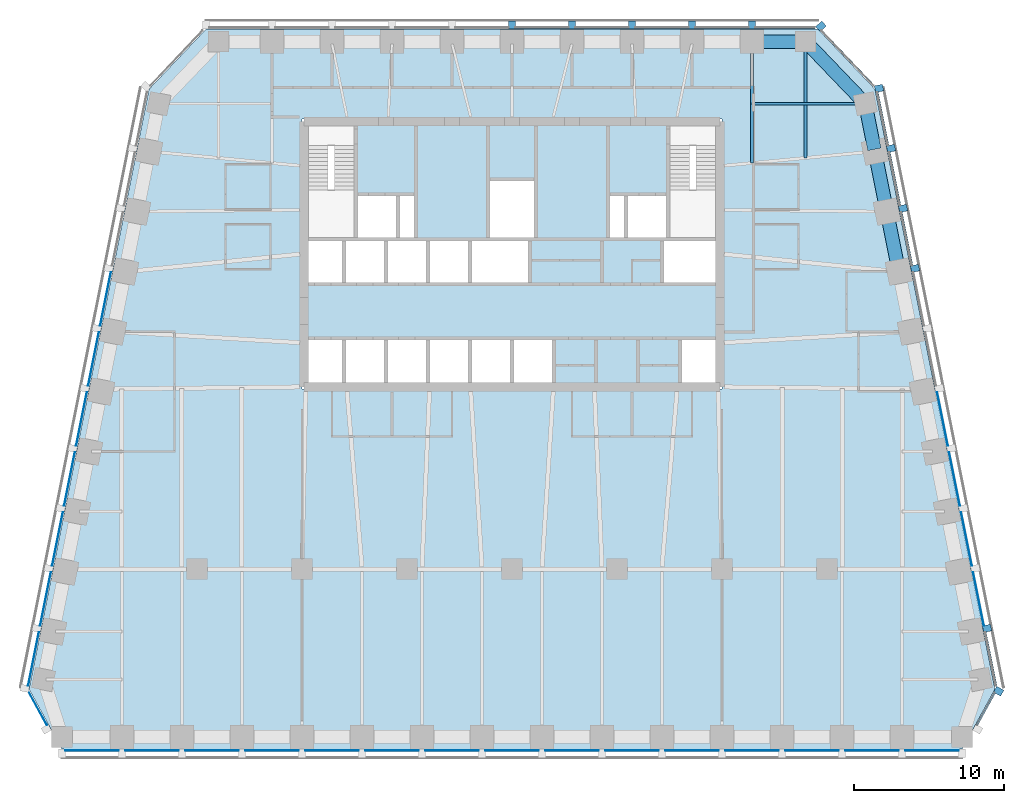
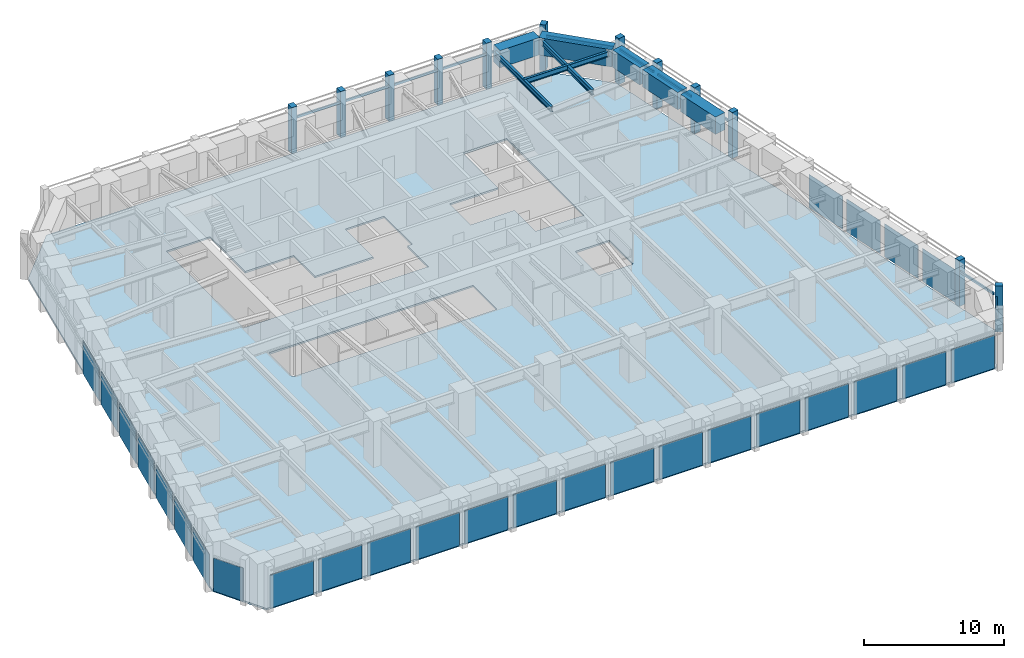
# One storey, part 4 of 10: 27 plates, 23 members, 8 beams, 1 slab, 7 elements without a shape of their own.
"""IFC4 building model written with IfcOpenShell, lengths in metres."""

from ifc_helpers import new_model, si_unit, direction, frame, origin, origin_2d, place, context, subcontext, project, spatial, polyline, rectangle, i_section, outline, extrude, material, layer, layer_set, material_profile, profile_set, type_object, element, aggregate, save


model = new_model("IFC4")

# Units and contexts
model_context = context("Model", 3, precision=1e-05, world=origin(), true_north=direction((0.0, 1.0)))
body_context = subcontext(model_context, "Body", "Model", "MODEL_VIEW")
ifc_project = project(units=[si_unit("LENGTHUNIT", "METRE"), si_unit("AREAUNIT", "SQUARE_METRE"), si_unit("VOLUMEUNIT", "CUBIC_METRE"), si_unit("PLANEANGLEUNIT", "RADIAN"), si_unit("MASSUNIT", "GRAM", prefix="KILO")], contexts=[model_context])

# Site, building, storey
site_placement = place(None, origin())
site = spatial("IfcSite", under=ifc_project, at=site_placement, CompositionType="ELEMENT")
building_placement = place(site_placement, origin())
building = spatial("IfcBuilding", under=site, at=building_placement, Name="Isbrekke Arena Tower", CompositionType="ELEMENT")
storey_placement = place(building_placement, frame((0.0, 0.0, 222.0)))
storey = spatial("IfcBuildingStorey", under=building, at=storey_placement, Name="L51", CompositionType="ELEMENT", Elevation=222.0)

# Beams
ifc_material_1 = material(Name="Steel S355", Category="steel")
ifc_material_profile_1 = material_profile(ifc_material_1, i_section(OverallWidth=0.18994140625, OverallDepth=0.449951171875, WebThickness=0.009521484375, FlangeThickness=0.0146484375, FilletRadius=0.02099609375, at=origin_2d()), Name="IPE 450")
ifc_profile_set_1 = profile_set([ifc_material_profile_1], Name="Steel S355")
beam_type_1 = type_object("IfcBeamType", Name="B2 IPE 450", PredefinedType="BEAM", material=ifc_profile_set_1)
beam_1_placement = place(storey_placement, frame((23.40283203125, 25.029296875, 3.625), z_axis=(-1.0, 0.0, 0.0), x_axis=(0.0, -1.0, 0.0)))
element("IfcBeam", 1, at=beam_1_placement, inside=storey, type_object=beam_type_1, Name="B2 beam E-E11 L51", PredefinedType="BEAM", context=body_context, shape_type="SweptSolid", body=[
    extrude(i_section(OverallWidth=0.18994140625, OverallDepth=0.449951171875, WebThickness=0.009521484375, FlangeThickness=0.0146484375, FilletRadius=0.02099609375, at=origin_2d()), origin(), (0.0, 0.0, 1.0), 7.40283203125),
])
ifc_material_2 = material(Name="Steel S355", Category="steel")
ifc_material_profile_2 = material_profile(ifc_material_2, i_section(OverallWidth=0.18994140625, OverallDepth=0.449951171875, WebThickness=0.009521484375, FlangeThickness=0.0146484375, FilletRadius=0.02099609375, at=origin_2d()), Name="IPE 450")
ifc_profile_set_2 = profile_set([ifc_material_profile_2], Name="Steel S355")
beam_type_2 = type_object("IfcBeamType", Name="B3 IPE 450", PredefinedType="BEAM", material=ifc_profile_set_2)
beam_2_placement = place(storey_placement, frame((19.574951171875, 29.02490234375, 3.625), z_axis=(0.0, -1.0, 0.0), x_axis=(1.0, 0.0, 0.0)))
element("IfcBeam", 2, at=beam_2_placement, inside=storey, type_object=beam_type_2, Name="B3 beam N-N01 L51", PredefinedType="BEAM", context=body_context, shape_type="SweptSolid", body=[
    extrude(i_section(OverallWidth=0.18994140625, OverallDepth=0.449951171875, WebThickness=0.009521484375, FlangeThickness=0.0146484375, FilletRadius=0.02099609375, at=origin_2d()), origin(), (0.0, 0.0, 1.0), 7.6103515625),
])
beam_3_placement = place(storey_placement, frame((16.0, 29.02490234375, 3.625), z_axis=(0.0, -1.0, 0.0), x_axis=(1.0, 0.0, 0.0)))
element("IfcBeam", 3, at=beam_3_placement, inside=storey, type_object=beam_type_2, Name="B3 beam N-N02 L51", PredefinedType="BEAM", context=body_context, shape_type="SweptSolid", body=[
    extrude(i_section(OverallWidth=0.18994140625, OverallDepth=0.449951171875, WebThickness=0.009521484375, FlangeThickness=0.0146484375, FilletRadius=0.02099609375, at=origin_2d()), origin(), (0.0, 0.0, 1.0), 7.949462890625),
])

# Curtain wall, member
ifc_material_3 = material(Name="Glazed aluminium curtain wall", Category="aluminium")
curtain_wall_type = type_object("IfcCurtainWallType", Name="CWH TOWER CURTAIN WALL HIGH ZONE", PredefinedType="USERDEFINED", material=ifc_material_3)
curtain_wall_1_placement = place(storey_placement, origin())
curtain_wall_1 = element("IfcCurtainWall", 4, at=curtain_wall_1_placement, inside=storey, type_object=curtain_wall_type, Name="CWH curtain wall L51-SE", ObjectType="TOWER CURTAIN WALL HIGH ZONE", PredefinedType="USERDEFINED")
ifc_material_4 = material(Name="Aluminium mullion, pale brick slip cladding", Category="masonry")
ifc_material_profile_3 = material_profile(ifc_material_4, rectangle(XDim=0.449951171875, YDim=0.550048828125, at=origin_2d()), Name="PIER 450X550")
ifc_profile_set_3 = profile_set([ifc_material_profile_3], Name="Aluminium mullion, pale brick slip cladding")
member_type_1 = type_object("IfcMemberType", Name="CWH-M PIER MULLION 450 x 550", PredefinedType="MULLION", material=ifc_profile_set_3)
member_1_placement = place(storey_placement, frame((32.44091796875, -14.132568359375, 0.0), z_axis=(0.0, 0.0, 1.0), x_axis=(0.481918749773, 0.876215908676, 0.0)))
member_1 = element("IfcMember", 5, at=member_1_placement, type_object=member_type_1, Name="CWH-M mullion 2", PredefinedType="MULLION", context=body_context, shape_type="SweptSolid", body=[
    extrude(rectangle(XDim=0.449951171875, YDim=0.550048828125, at=origin_2d()), origin(), (0.0, 0.0, 1.0), 4.0),
])

# Curtain wall, members
curtain_wall_2_placement = place(storey_placement, origin())
curtain_wall_2 = element("IfcCurtainWall", 6, at=curtain_wall_2_placement, inside=storey, type_object=curtain_wall_type, Name="CWH curtain wall L51-E", ObjectType="TOWER CURTAIN WALL HIGH ZONE", PredefinedType="USERDEFINED")
member_2_placement = place(storey_placement, frame((31.669677734375, -9.946044921875, 0.0), z_axis=(0.0, 0.0, 1.0), x_axis=(-0.196116135138, 0.980580675691, 0.0)))
member_2 = element("IfcMember", 7, at=member_2_placement, type_object=member_type_1, Name="CWH-M mullion 1", PredefinedType="MULLION", context=body_context, shape_type="SweptSolid", body=[
    extrude(rectangle(XDim=0.449951171875, YDim=0.550048828125, at=origin_2d()), origin(), (0.0, 0.0, 1.0), 4.0),
])
member_3_placement = place(storey_placement, frame((26.86962890625, 14.053955078125, 0.0), z_axis=(0.0, 0.0, 1.0), x_axis=(-0.196116135138, 0.980580675691, 0.0)))
member_3 = element("IfcMember", 8, at=member_3_placement, type_object=member_type_1, Name="CWH-M mullion 7", PredefinedType="MULLION", context=body_context, shape_type="SweptSolid", body=[
    extrude(rectangle(XDim=0.449951171875, YDim=0.550048828125, at=origin_2d()), origin(), (0.0, 0.0, 1.0), 4.0),
])
member_4_placement = place(storey_placement, frame((26.069580078125, 18.053955078125, 0.0), z_axis=(0.0, 0.0, 1.0), x_axis=(-0.196116135138, 0.980580675691, 0.0)))
member_4 = element("IfcMember", 9, at=member_4_placement, type_object=member_type_1, Name="CWH-M mullion 8", PredefinedType="MULLION", context=body_context, shape_type="SweptSolid", body=[
    extrude(rectangle(XDim=0.449951171875, YDim=0.550048828125, at=origin_2d()), origin(), (0.0, 0.0, 1.0), 4.0),
])
member_5_placement = place(storey_placement, frame((25.269775390625, 22.053955078125, 0.0), z_axis=(0.0, 0.0, 1.0), x_axis=(-0.196116135138, 0.980580675691, 0.0)))
member_5 = element("IfcMember", 10, at=member_5_placement, type_object=member_type_1, Name="CWH-M mullion 9", PredefinedType="MULLION", context=body_context, shape_type="SweptSolid", body=[
    extrude(rectangle(XDim=0.449951171875, YDim=0.550048828125, at=origin_2d()), origin(), (0.0, 0.0, 1.0), 4.0),
])
member_6_placement = place(storey_placement, frame((24.4697265625, 26.053955078125, 0.0), z_axis=(0.0, 0.0, 1.0), x_axis=(-0.196116135138, 0.980580675691, 0.0)))
member_6 = element("IfcMember", 11, at=member_6_placement, type_object=member_type_1, Name="CWH-M mullion 10", PredefinedType="MULLION", context=body_context, shape_type="SweptSolid", body=[
    extrude(rectangle(XDim=0.449951171875, YDim=0.550048828125, at=origin_2d()), origin(), (0.0, 0.0, 1.0), 4.0),
])

# Curtain wall, member
curtain_wall_3_placement = place(storey_placement, origin())
curtain_wall_3 = element("IfcCurtainWall", 12, at=curtain_wall_3_placement, inside=storey, type_object=curtain_wall_type, Name="CWH curtain wall L51-EN", ObjectType="TOWER CURTAIN WALL HIGH ZONE", PredefinedType="USERDEFINED")
member_7_placement = place(storey_placement, frame((20.599365234375, 30.189453125, 0.0), z_axis=(0.0, 0.0, 1.0), x_axis=(-0.68874946192, 0.72499943359, 0.0)))
member_7 = element("IfcMember", 13, at=member_7_placement, type_object=member_type_1, Name="CWH-M mullion 1", PredefinedType="MULLION", context=body_context, shape_type="SweptSolid", body=[
    extrude(rectangle(XDim=0.449951171875, YDim=0.550048828125, at=origin_2d()), origin(), (0.0, 0.0, 1.0), 4.0),
])

# Curtain wall, members
curtain_wall_4_placement = place(storey_placement, origin())
curtain_wall_4 = element("IfcCurtainWall", 14, at=curtain_wall_4_placement, inside=storey, type_object=curtain_wall_type, Name="CWH curtain wall L51-N", ObjectType="TOWER CURTAIN WALL HIGH ZONE", PredefinedType="USERDEFINED")
member_8_placement = place(storey_placement, frame((16.0, 30.27490234375, 0.0), z_axis=(0.0, 0.0, 1.0), x_axis=(-1.0, 0.0, 0.0)))
member_8 = element("IfcMember", 15, at=member_8_placement, type_object=member_type_1, Name="CWH-M mullion 1", PredefinedType="MULLION", context=body_context, shape_type="SweptSolid", body=[
    extrude(rectangle(XDim=0.449951171875, YDim=0.550048828125, at=origin_2d()), origin(), (0.0, 0.0, 1.0), 4.0),
])
member_9_placement = place(storey_placement, frame((12.0, 30.27490234375, 0.0), z_axis=(0.0, 0.0, 1.0), x_axis=(-1.0, 0.0, 0.0)))
member_9 = element("IfcMember", 16, at=member_9_placement, type_object=member_type_1, Name="CWH-M mullion 2", PredefinedType="MULLION", context=body_context, shape_type="SweptSolid", body=[
    extrude(rectangle(XDim=0.449951171875, YDim=0.550048828125, at=origin_2d()), origin(), (0.0, 0.0, 1.0), 4.0),
])
member_10_placement = place(storey_placement, frame((8.0, 30.27490234375, 0.0), z_axis=(0.0, 0.0, 1.0), x_axis=(-1.0, 0.0, 0.0)))
member_10 = element("IfcMember", 17, at=member_10_placement, type_object=member_type_1, Name="CWH-M mullion 3", PredefinedType="MULLION", context=body_context, shape_type="SweptSolid", body=[
    extrude(rectangle(XDim=0.449951171875, YDim=0.550048828125, at=origin_2d()), origin(), (0.0, 0.0, 1.0), 4.0),
])
member_11_placement = place(storey_placement, frame((4.0, 30.27490234375, 0.0), z_axis=(0.0, 0.0, 1.0), x_axis=(-1.0, 0.0, 0.0)))
member_11 = element("IfcMember", 18, at=member_11_placement, type_object=member_type_1, Name="CWH-M mullion 4", PredefinedType="MULLION", context=body_context, shape_type="SweptSolid", body=[
    extrude(rectangle(XDim=0.449951171875, YDim=0.550048828125, at=origin_2d()), origin(), (0.0, 0.0, 1.0), 4.0),
])
member_12_placement = place(storey_placement, frame((0.0, 30.27490234375, 0.0), z_axis=(0.0, 0.0, 1.0), x_axis=(-1.0, 0.0, 0.0)))
member_12 = element("IfcMember", 19, at=member_12_placement, type_object=member_type_1, Name="CWH-M mullion 5", PredefinedType="MULLION", context=body_context, shape_type="SweptSolid", body=[
    extrude(rectangle(XDim=0.449951171875, YDim=0.550048828125, at=origin_2d()), origin(), (0.0, 0.0, 1.0), 4.0),
])

# Member
ifc_material_5 = material(Name="Aluminium transom", Category="aluminium")
ifc_material_profile_4 = material_profile(ifc_material_5, rectangle(XDim=0.1201171875, YDim=0.199951171875, at=origin_2d()), Name="TRANSOM 120X200")
ifc_profile_set_4 = profile_set([ifc_material_profile_4], Name="Aluminium transom")
member_type_2 = type_object("IfcMemberType", Name="CWH-T TRANSOM 120 x 200", PredefinedType="USERDEFINED", material=ifc_profile_set_4)
member_13_placement = place(storey_placement, frame((31.002197265625, -16.38525390625, 3.0), z_axis=(0.481937937062, 0.876205355393, 0.0), x_axis=(-0.876205355393, 0.481937937062, 0.0)))
member_13 = element("IfcMember", 20, at=member_13_placement, type_object=member_type_2, Name="CWH-T transom 1", ObjectType="TRANSOM", PredefinedType="USERDEFINED", context=body_context, shape_type="SweptSolid", body=[
    extrude(rectangle(XDim=0.1201171875, YDim=0.199951171875, at=origin_2d()), origin(), (0.0, 0.0, 1.0), 2.442138671875),
])

aggregate(curtain_wall_1, [member_1, member_13])

member_14_placement = place(storey_placement, frame((32.25390625, -13.759765625, 3.0), z_axis=(-0.196090262229, 0.980585849918, 0.0), x_axis=(-0.980585849918, -0.196090262229, 0.0)))
member_14 = element("IfcMember", 21, at=member_14_placement, type_object=member_type_2, Name="CWH-T transom 1", ObjectType="TRANSOM", PredefinedType="USERDEFINED", context=body_context, shape_type="SweptSolid", body=[
    extrude(rectangle(XDim=0.1201171875, YDim=0.199951171875, at=origin_2d()), origin(), (0.0, 0.0, 1.0), 3.62939453125),
])

member_15_placement = place(storey_placement, frame((26.654052734375, 14.240234375, 3.0), z_axis=(-0.196154943734, 0.980572913173, 0.0), x_axis=(-0.980572913173, -0.196154943734, 0.0)))
member_15 = element("IfcMember", 22, at=member_15_placement, type_object=member_type_2, Name="CWH-T transom 8", ObjectType="TRANSOM", PredefinedType="USERDEFINED", context=body_context, shape_type="SweptSolid", body=[
    extrude(rectangle(XDim=0.1201171875, YDim=0.199951171875, at=origin_2d()), origin(), (0.0, 0.0, 1.0), 3.62939453125),
])

member_16_placement = place(storey_placement, frame((25.85400390625, 18.240234375, 3.0), z_axis=(-0.196154943734, 0.980572913173, 0.0), x_axis=(-0.980572913173, -0.196154943734, 0.0)))
member_16 = element("IfcMember", 23, at=member_16_placement, type_object=member_type_2, Name="CWH-T transom 9", ObjectType="TRANSOM", PredefinedType="USERDEFINED", context=body_context, shape_type="SweptSolid", body=[
    extrude(rectangle(XDim=0.1201171875, YDim=0.199951171875, at=origin_2d()), origin(), (0.0, 0.0, 1.0), 3.62939453125),
])

member_17_placement = place(storey_placement, frame((25.053955078125, 22.240234375, 3.0), z_axis=(-0.196090262229, 0.980585849918, 0.0), x_axis=(-0.980585849918, -0.196090262229, 0.0)))
member_17 = element("IfcMember", 24, at=member_17_placement, type_object=member_type_2, Name="CWH-T transom 10", ObjectType="TRANSOM", PredefinedType="USERDEFINED", context=body_context, shape_type="SweptSolid", body=[
    extrude(rectangle(XDim=0.1201171875, YDim=0.199951171875, at=origin_2d()), origin(), (0.0, 0.0, 1.0), 3.62939453125),
])

member_18_placement = place(storey_placement, frame((24.117431640625, 26.23193359375, 3.0), z_axis=(-0.688734266994, 0.725013868466, 0.0), x_axis=(-0.725013868466, -0.688734266994, 0.0)))
member_18 = element("IfcMember", 25, at=member_18_placement, type_object=member_type_2, Name="CWH-T transom 1", ObjectType="TRANSOM", PredefinedType="USERDEFINED", context=body_context, shape_type="SweptSolid", body=[
    extrude(rectangle(XDim=0.1201171875, YDim=0.199951171875, at=origin_2d()), origin(), (0.0, 0.0, 1.0), 5.067138671875),
])

aggregate(curtain_wall_3, [member_7, member_18])

member_19_placement = place(storey_placement, frame((20.175048828125, 30.10009765625, 3.0), z_axis=(-1.0, 0.0, 0.0), x_axis=(0.0, -1.0, 0.0)))
member_19 = element("IfcMember", 26, at=member_19_placement, type_object=member_type_2, Name="CWH-T transom 1", ObjectType="TRANSOM", PredefinedType="USERDEFINED", context=body_context, shape_type="SweptSolid", body=[
    extrude(rectangle(XDim=0.1201171875, YDim=0.199951171875, at=origin_2d()), origin(), (0.0, 0.0, 1.0), 3.949951171875),
])

member_20_placement = place(storey_placement, frame((15.77490234375, 30.10009765625, 3.0), z_axis=(-1.0, 0.0, 0.0), x_axis=(0.0, -1.0, 0.0)))
member_20 = element("IfcMember", 27, at=member_20_placement, type_object=member_type_2, Name="CWH-T transom 2", ObjectType="TRANSOM", PredefinedType="USERDEFINED", context=body_context, shape_type="SweptSolid", body=[
    extrude(rectangle(XDim=0.1201171875, YDim=0.199951171875, at=origin_2d()), origin(), (0.0, 0.0, 1.0), 3.5498046875),
])

member_21_placement = place(storey_placement, frame((11.77490234375, 30.10009765625, 3.0), z_axis=(-1.0, 0.0, 0.0), x_axis=(0.0, -1.0, 0.0)))
member_21 = element("IfcMember", 28, at=member_21_placement, type_object=member_type_2, Name="CWH-T transom 3", ObjectType="TRANSOM", PredefinedType="USERDEFINED", context=body_context, shape_type="SweptSolid", body=[
    extrude(rectangle(XDim=0.1201171875, YDim=0.199951171875, at=origin_2d()), origin(), (0.0, 0.0, 1.0), 3.5498046875),
])

member_22_placement = place(storey_placement, frame((7.77490234375, 30.10009765625, 3.0), z_axis=(-1.0, 0.0, 0.0), x_axis=(0.0, -1.0, 0.0)))
member_22 = element("IfcMember", 29, at=member_22_placement, type_object=member_type_2, Name="CWH-T transom 4", ObjectType="TRANSOM", PredefinedType="USERDEFINED", context=body_context, shape_type="SweptSolid", body=[
    extrude(rectangle(XDim=0.1201171875, YDim=0.199951171875, at=origin_2d()), origin(), (0.0, 0.0, 1.0), 3.5498046875),
])

member_23_placement = place(storey_placement, frame((3.77490234375, 30.10009765625, 3.0), z_axis=(-1.0, 0.0, 0.0), x_axis=(0.0, -1.0, 0.0)))
member_23 = element("IfcMember", 30, at=member_23_placement, type_object=member_type_2, Name="CWH-T transom 5", ObjectType="TRANSOM", PredefinedType="USERDEFINED", context=body_context, shape_type="SweptSolid", body=[
    extrude(rectangle(XDim=0.1201171875, YDim=0.199951171875, at=origin_2d()), origin(), (0.0, 0.0, 1.0), 3.5498046875),
])

aggregate(curtain_wall_4, [member_8, member_9, member_10, member_11, member_12, member_19, member_20, member_21, member_22, member_23])

# Beams
ifc_material_6 = material(Name="Concrete B65 (C65/80)", Category="concrete")
ifc_material_profile_5 = material_profile(ifc_material_6, rectangle(XDim=0.89990234375, YDim=1.5, at=origin_2d()), Name="RC 900x1500")
ifc_profile_set_5 = profile_set([ifc_material_profile_5], Name="Concrete B65 (C65/80)")
beam_type_3 = type_object("IfcBeamType", Name="SB3 RC 900 x 1500", PredefinedType="SPANDREL", material=ifc_profile_set_5)
for number, where, z_axis, x_axis, name in (
    (31, (25.76171875, 13.9853515625, 3.25), (-0.196128558387, 0.980578190959, 0.0), (-0.980578190959, -0.196128558387, 0.0), "SB3 spandrel E08-E09 L51"),
    (32, (24.961669921875, 17.9853515625, 3.25), (-0.196128558387, 0.980578190959, 0.0), (-0.980578190959, -0.196128558387, 0.0), "SB3 spandrel E09-E10 L51"),
):
    element("IfcBeam", number, at=place(storey_placement, frame(where, z_axis=z_axis, x_axis=x_axis)), inside=storey, type_object=beam_type_3, Name=name, PredefinedType="SPANDREL", context=body_context, shape_type="SweptSolid", body=[
        extrude(rectangle(XDim=0.89990234375, YDim=1.5, at=origin_2d()), origin(), (0.0, 0.0, 1.0), 3.779296875),
    ])
beam_4_placement = place(storey_placement, frame((24.16162109375, 21.9853515625, 3.25), z_axis=(-0.196116135138, 0.980580675691, 0.0), x_axis=(-0.980580675691, -0.196116135138, 0.0)))
element("IfcBeam", 33, at=beam_4_placement, inside=storey, type_object=beam_type_3, Name="SB3 spandrel E10-E11 L51", PredefinedType="SPANDREL", context=body_context, shape_type="SweptSolid", body=[
    extrude(rectangle(XDim=0.89990234375, YDim=1.5, at=origin_2d()), origin(), (0.0, 0.0, 1.0), 2.9541015625),
])
beam_5_placement = place(storey_placement, frame((23.448974609375, 25.137451171875, 3.25), z_axis=(-0.692339547635, 0.721571861134, 0.0), x_axis=(-0.721571861134, -0.692339547635, 0.0)))
element("IfcBeam", 34, at=beam_5_placement, inside=storey, type_object=beam_type_3, Name="SB3 spandrel E11-N01 L51", PredefinedType="SPANDREL", context=body_context, shape_type="SweptSolid", body=[
    extrude(rectangle(XDim=0.89990234375, YDim=1.5, at=origin_2d()), origin(), (0.0, 0.0, 1.0), 5.4453125),
])
beam_6_placement = place(storey_placement, frame((19.425048828125, 29.175048828125, 3.25), z_axis=(-1.0, 0.0, 0.0), x_axis=(0.0, -1.0, 0.0)))
element("IfcBeam", 35, at=beam_6_placement, inside=storey, type_object=beam_type_3, Name="SB3 spandrel N01-N02 L51", PredefinedType="SPANDREL", context=body_context, shape_type="SweptSolid", body=[
    extrude(rectangle(XDim=0.89990234375, YDim=1.5, at=origin_2d()), origin(), (0.0, 0.0, 1.0), 3.275146484375),
])

# Curtain wall, plates
curtain_wall_5_placement = place(storey_placement, origin())
curtain_wall_5 = element("IfcCurtainWall", 36, at=curtain_wall_5_placement, inside=storey, type_object=curtain_wall_type, Name="CWH curtain wall L51-S", ObjectType="TOWER CURTAIN WALL HIGH ZONE", PredefinedType="USERDEFINED")
ifc_material_7 = material(Name="Triple-glazed clear glass unit", Category="glass")
ifc_layer_1 = layer(ifc_material_7, 0.031982421875)
ifc_layer_set_1 = layer_set([ifc_layer_1], Name="CWH-P VISION PANEL")
plate_type = type_object("IfcPlateType", Name="CWH-P VISION PANEL", PredefinedType="CURTAIN_PANEL", material=ifc_layer_set_1)
plate_1_placement = place(storey_placement, frame((-28.0, -18.10009765625, 0.02001953125), z_axis=(0.0, 0.0, 1.0), x_axis=(1.0, 0.0, 0.0)))
plate_1 = element("IfcPlate", 37, at=plate_1_placement, type_object=plate_type, Name="CWH-P panel 1", PredefinedType="CURTAIN_PANEL", context=body_context, shape_type="SweptSolid", body=[
    extrude(rectangle(XDim=3.550048828125, YDim=0.031982421875, at=origin_2d()), origin(), (0.0, 0.0, 1.0), 2.8798828125),
])
plate_2_placement = place(storey_placement, frame((-24.0, -18.10009765625, 0.02001953125), z_axis=(0.0, 0.0, 1.0), x_axis=(1.0, 0.0, 0.0)))
plate_2 = element("IfcPlate", 38, at=plate_2_placement, type_object=plate_type, Name="CWH-P panel 2", PredefinedType="CURTAIN_PANEL", context=body_context, shape_type="SweptSolid", body=[
    extrude(rectangle(XDim=3.550048828125, YDim=0.031982421875, at=origin_2d()), origin(), (0.0, 0.0, 1.0), 2.8798828125),
])
plate_3_placement = place(storey_placement, frame((-20.0, -18.10009765625, 0.02001953125), z_axis=(0.0, 0.0, 1.0), x_axis=(1.0, 0.0, 0.0)))
plate_3 = element("IfcPlate", 39, at=plate_3_placement, type_object=plate_type, Name="CWH-P panel 3", PredefinedType="CURTAIN_PANEL", context=body_context, shape_type="SweptSolid", body=[
    extrude(rectangle(XDim=3.550048828125, YDim=0.031982421875, at=origin_2d()), origin(), (0.0, 0.0, 1.0), 2.8798828125),
])
plate_4_placement = place(storey_placement, frame((-16.0, -18.10009765625, 0.02001953125), z_axis=(0.0, 0.0, 1.0), x_axis=(1.0, 0.0, 0.0)))
plate_4 = element("IfcPlate", 40, at=plate_4_placement, type_object=plate_type, Name="CWH-P panel 4", PredefinedType="CURTAIN_PANEL", context=body_context, shape_type="SweptSolid", body=[
    extrude(rectangle(XDim=3.550048828125, YDim=0.031982421875, at=origin_2d()), origin(), (0.0, 0.0, 1.0), 2.8798828125),
])
plate_5_placement = place(storey_placement, frame((-12.0, -18.10009765625, 0.02001953125), z_axis=(0.0, 0.0, 1.0), x_axis=(1.0, 0.0, 0.0)))
plate_5 = element("IfcPlate", 41, at=plate_5_placement, type_object=plate_type, Name="CWH-P panel 5", PredefinedType="CURTAIN_PANEL", context=body_context, shape_type="SweptSolid", body=[
    extrude(rectangle(XDim=3.550048828125, YDim=0.031982421875, at=origin_2d()), origin(), (0.0, 0.0, 1.0), 2.8798828125),
])
plate_6_placement = place(storey_placement, frame((-8.0, -18.10009765625, 0.02001953125), z_axis=(0.0, 0.0, 1.0), x_axis=(1.0, 0.0, 0.0)))
plate_6 = element("IfcPlate", 42, at=plate_6_placement, type_object=plate_type, Name="CWH-P panel 6", PredefinedType="CURTAIN_PANEL", context=body_context, shape_type="SweptSolid", body=[
    extrude(rectangle(XDim=3.550048828125, YDim=0.031982421875, at=origin_2d()), origin(), (0.0, 0.0, 1.0), 2.8798828125),
])
plate_7_placement = place(storey_placement, frame((-4.0, -18.10009765625, 0.02001953125), z_axis=(0.0, 0.0, 1.0), x_axis=(1.0, 0.0, 0.0)))
plate_7 = element("IfcPlate", 43, at=plate_7_placement, type_object=plate_type, Name="CWH-P panel 7", PredefinedType="CURTAIN_PANEL", context=body_context, shape_type="SweptSolid", body=[
    extrude(rectangle(XDim=3.550048828125, YDim=0.031982421875, at=origin_2d()), origin(), (0.0, 0.0, 1.0), 2.8798828125),
])
plate_8_placement = place(storey_placement, frame((0.0, -18.10009765625, 0.02001953125), z_axis=(0.0, 0.0, 1.0), x_axis=(1.0, 0.0, 0.0)))
plate_8 = element("IfcPlate", 44, at=plate_8_placement, type_object=plate_type, Name="CWH-P panel 8", PredefinedType="CURTAIN_PANEL", context=body_context, shape_type="SweptSolid", body=[
    extrude(rectangle(XDim=3.550048828125, YDim=0.031982421875, at=origin_2d()), origin(), (0.0, 0.0, 1.0), 2.8798828125),
])
plate_9_placement = place(storey_placement, frame((4.0, -18.10009765625, 0.02001953125), z_axis=(0.0, 0.0, 1.0), x_axis=(1.0, 0.0, 0.0)))
plate_9 = element("IfcPlate", 45, at=plate_9_placement, type_object=plate_type, Name="CWH-P panel 9", PredefinedType="CURTAIN_PANEL", context=body_context, shape_type="SweptSolid", body=[
    extrude(rectangle(XDim=3.550048828125, YDim=0.031982421875, at=origin_2d()), origin(), (0.0, 0.0, 1.0), 2.8798828125),
])
plate_10_placement = place(storey_placement, frame((8.0, -18.10009765625, 0.02001953125), z_axis=(0.0, 0.0, 1.0), x_axis=(1.0, 0.0, 0.0)))
plate_10 = element("IfcPlate", 46, at=plate_10_placement, type_object=plate_type, Name="CWH-P panel 10", PredefinedType="CURTAIN_PANEL", context=body_context, shape_type="SweptSolid", body=[
    extrude(rectangle(XDim=3.550048828125, YDim=0.031982421875, at=origin_2d()), origin(), (0.0, 0.0, 1.0), 2.8798828125),
])
plate_11_placement = place(storey_placement, frame((12.0, -18.10009765625, 0.02001953125), z_axis=(0.0, 0.0, 1.0), x_axis=(1.0, 0.0, 0.0)))
plate_11 = element("IfcPlate", 47, at=plate_11_placement, type_object=plate_type, Name="CWH-P panel 11", PredefinedType="CURTAIN_PANEL", context=body_context, shape_type="SweptSolid", body=[
    extrude(rectangle(XDim=3.550048828125, YDim=0.031982421875, at=origin_2d()), origin(), (0.0, 0.0, 1.0), 2.8798828125),
])
plate_12_placement = place(storey_placement, frame((16.0, -18.10009765625, 0.02001953125), z_axis=(0.0, 0.0, 1.0), x_axis=(1.0, 0.0, 0.0)))
plate_12 = element("IfcPlate", 48, at=plate_12_placement, type_object=plate_type, Name="CWH-P panel 12", PredefinedType="CURTAIN_PANEL", context=body_context, shape_type="SweptSolid", body=[
    extrude(rectangle(XDim=3.550048828125, YDim=0.031982421875, at=origin_2d()), origin(), (0.0, 0.0, 1.0), 2.8798828125),
])
plate_13_placement = place(storey_placement, frame((20.0, -18.10009765625, 0.02001953125), z_axis=(0.0, 0.0, 1.0), x_axis=(1.0, 0.0, 0.0)))
plate_13 = element("IfcPlate", 49, at=plate_13_placement, type_object=plate_type, Name="CWH-P panel 13", PredefinedType="CURTAIN_PANEL", context=body_context, shape_type="SweptSolid", body=[
    extrude(rectangle(XDim=3.550048828125, YDim=0.031982421875, at=origin_2d()), origin(), (0.0, 0.0, 1.0), 2.8798828125),
])
plate_14_placement = place(storey_placement, frame((24.0, -18.10009765625, 0.02001953125), z_axis=(0.0, 0.0, 1.0), x_axis=(1.0, 0.0, 0.0)))
plate_14 = element("IfcPlate", 50, at=plate_14_placement, type_object=plate_type, Name="CWH-P panel 14", PredefinedType="CURTAIN_PANEL", context=body_context, shape_type="SweptSolid", body=[
    extrude(rectangle(XDim=3.550048828125, YDim=0.031982421875, at=origin_2d()), origin(), (0.0, 0.0, 1.0), 2.8798828125),
])
plate_15_placement = place(storey_placement, frame((28.0, -18.10009765625, 0.02001953125), z_axis=(0.0, 0.0, 1.0), x_axis=(1.0, 0.0, 0.0)))
plate_15 = element("IfcPlate", 51, at=plate_15_placement, type_object=plate_type, Name="CWH-P panel 15", PredefinedType="CURTAIN_PANEL", context=body_context, shape_type="SweptSolid", body=[
    extrude(rectangle(XDim=3.550048828125, YDim=0.031982421875, at=origin_2d()), origin(), (0.0, 0.0, 1.0), 2.8798828125),
])
aggregate(curtain_wall_5, [plate_1, plate_2, plate_3, plate_4, plate_5, plate_6, plate_7, plate_8, plate_9, plate_10, plate_11, plate_12, plate_13, plate_14, plate_15])

# Plate
plate_16_placement = place(storey_placement, frame((31.09814453125, -7.98046875, 0.02001953125), z_axis=(0.0, 0.0, 1.0), x_axis=(-0.196116135138, 0.980580675691, 0.0)))
plate_16 = element("IfcPlate", 52, at=plate_16_placement, type_object=plate_type, Name="CWH-P panel 2", PredefinedType="CURTAIN_PANEL", context=body_context, shape_type="SweptSolid", body=[
    extrude(rectangle(XDim=3.629150390625, YDim=0.031982421875, at=origin_2d()), origin(), (0.0, 0.0, 1.0), 2.8798828125),
])

plate_17_placement = place(storey_placement, frame((30.298095703125, -3.98046875, 0.02001953125), z_axis=(0.0, 0.0, 1.0), x_axis=(-0.196116135138, 0.980580675691, 0.0)))
plate_17 = element("IfcPlate", 53, at=plate_17_placement, type_object=plate_type, Name="CWH-P panel 3", PredefinedType="CURTAIN_PANEL", context=body_context, shape_type="SweptSolid", body=[
    extrude(rectangle(XDim=3.629150390625, YDim=0.031982421875, at=origin_2d()), origin(), (0.0, 0.0, 1.0), 2.8798828125),
])

plate_18_placement = place(storey_placement, frame((29.498046875, 0.01953125, 0.02001953125), z_axis=(0.0, 0.0, 1.0), x_axis=(-0.196116135138, 0.980580675691, 0.0)))
plate_18 = element("IfcPlate", 54, at=plate_18_placement, type_object=plate_type, Name="CWH-P panel 4", PredefinedType="CURTAIN_PANEL", context=body_context, shape_type="SweptSolid", body=[
    extrude(rectangle(XDim=3.629150390625, YDim=0.031982421875, at=origin_2d()), origin(), (0.0, 0.0, 1.0), 2.8798828125),
])

plate_19_placement = place(storey_placement, frame((28.697998046875, 4.01953125, 0.02001953125), z_axis=(0.0, 0.0, 1.0), x_axis=(-0.196116135138, 0.980580675691, 0.0)))
plate_19 = element("IfcPlate", 55, at=plate_19_placement, type_object=plate_type, Name="CWH-P panel 5", PredefinedType="CURTAIN_PANEL", context=body_context, shape_type="SweptSolid", body=[
    extrude(rectangle(XDim=3.629150390625, YDim=0.031982421875, at=origin_2d()), origin(), (0.0, 0.0, 1.0), 2.8798828125),
])

aggregate(curtain_wall_2, [member_2, member_3, member_4, member_5, member_6, member_14, plate_16, plate_17, plate_18, plate_19, member_15, member_16, member_17])

# Curtain wall, plates
curtain_wall_6_placement = place(storey_placement, origin())
curtain_wall_6 = element("IfcCurtainWall", 56, at=curtain_wall_6_placement, inside=storey, type_object=curtain_wall_type, Name="CWH curtain wall L51-W", ObjectType="TOWER CURTAIN WALL HIGH ZONE", PredefinedType="USERDEFINED")
plate_20_placement = place(storey_placement, frame((-27.09814453125, 12.01953125, 0.02001953125), z_axis=(0.0, 0.0, 1.0), x_axis=(-0.196116135138, -0.980580675691, 0.0)))
plate_20 = element("IfcPlate", 57, at=plate_20_placement, type_object=plate_type, Name="CWH-P panel 4", PredefinedType="CURTAIN_PANEL", context=body_context, shape_type="SweptSolid", body=[
    extrude(rectangle(XDim=3.629150390625, YDim=0.031982421875, at=origin_2d()), origin(), (0.0, 0.0, 1.0), 2.8798828125),
])
plate_21_placement = place(storey_placement, frame((-27.89794921875, 8.01953125, 0.02001953125), z_axis=(0.0, 0.0, 1.0), x_axis=(-0.196116135138, -0.980580675691, 0.0)))
plate_21 = element("IfcPlate", 58, at=plate_21_placement, type_object=plate_type, Name="CWH-P panel 5", PredefinedType="CURTAIN_PANEL", context=body_context, shape_type="SweptSolid", body=[
    extrude(rectangle(XDim=3.629150390625, YDim=0.031982421875, at=origin_2d()), origin(), (0.0, 0.0, 1.0), 2.8798828125),
])
plate_22_placement = place(storey_placement, frame((-28.697998046875, 4.01953125, 0.02001953125), z_axis=(0.0, 0.0, 1.0), x_axis=(-0.196116135138, -0.980580675691, 0.0)))
plate_22 = element("IfcPlate", 59, at=plate_22_placement, type_object=plate_type, Name="CWH-P panel 6", PredefinedType="CURTAIN_PANEL", context=body_context, shape_type="SweptSolid", body=[
    extrude(rectangle(XDim=3.629150390625, YDim=0.031982421875, at=origin_2d()), origin(), (0.0, 0.0, 1.0), 2.8798828125),
])
plate_23_placement = place(storey_placement, frame((-29.498046875, 0.01953125, 0.02001953125), z_axis=(0.0, 0.0, 1.0), x_axis=(-0.196116135138, -0.980580675691, 0.0)))
plate_23 = element("IfcPlate", 60, at=plate_23_placement, type_object=plate_type, Name="CWH-P panel 7", PredefinedType="CURTAIN_PANEL", context=body_context, shape_type="SweptSolid", body=[
    extrude(rectangle(XDim=3.629150390625, YDim=0.031982421875, at=origin_2d()), origin(), (0.0, 0.0, 1.0), 2.8798828125),
])
plate_24_placement = place(storey_placement, frame((-30.298095703125, -3.98046875, 0.02001953125), z_axis=(0.0, 0.0, 1.0), x_axis=(-0.196116135138, -0.980580675691, 0.0)))
plate_24 = element("IfcPlate", 61, at=plate_24_placement, type_object=plate_type, Name="CWH-P panel 8", PredefinedType="CURTAIN_PANEL", context=body_context, shape_type="SweptSolid", body=[
    extrude(rectangle(XDim=3.629150390625, YDim=0.031982421875, at=origin_2d()), origin(), (0.0, 0.0, 1.0), 2.8798828125),
])
plate_25_placement = place(storey_placement, frame((-31.09814453125, -7.98046875, 0.02001953125), z_axis=(0.0, 0.0, 1.0), x_axis=(-0.196116135138, -0.980580675691, 0.0)))
plate_25 = element("IfcPlate", 62, at=plate_25_placement, type_object=plate_type, Name="CWH-P panel 9", PredefinedType="CURTAIN_PANEL", context=body_context, shape_type="SweptSolid", body=[
    extrude(rectangle(XDim=3.629150390625, YDim=0.031982421875, at=origin_2d()), origin(), (0.0, 0.0, 1.0), 2.8798828125),
])
plate_26_placement = place(storey_placement, frame((-31.89794921875, -11.98046875, 0.02001953125), z_axis=(0.0, 0.0, 1.0), x_axis=(-0.196116135138, -0.980580675691, 0.0)))
plate_26 = element("IfcPlate", 63, at=plate_26_placement, type_object=plate_type, Name="CWH-P panel 10", PredefinedType="CURTAIN_PANEL", context=body_context, shape_type="SweptSolid", body=[
    extrude(rectangle(XDim=3.629150390625, YDim=0.031982421875, at=origin_2d()), origin(), (0.0, 0.0, 1.0), 2.8798828125),
])
aggregate(curtain_wall_6, [plate_20, plate_21, plate_22, plate_23, plate_24, plate_25, plate_26])

# Curtain wall, plate
curtain_wall_7_placement = place(storey_placement, origin())
curtain_wall_7 = element("IfcCurtainWall", 64, at=curtain_wall_7_placement, inside=storey, type_object=curtain_wall_type, Name="CWH curtain wall L51-WS", ObjectType="TOWER CURTAIN WALL HIGH ZONE", PredefinedType="USERDEFINED")
plate_27_placement = place(storey_placement, frame((-31.59033203125, -15.31591796875, 0.02001953125), z_axis=(0.0, 0.0, 1.0), x_axis=(0.481918749773, -0.876215908676, 0.0)))
plate_27 = element("IfcPlate", 65, at=plate_27_placement, type_object=plate_type, Name="CWH-P panel 1", PredefinedType="CURTAIN_PANEL", context=body_context, shape_type="SweptSolid", body=[
    extrude(rectangle(XDim=2.443603515625, YDim=0.031982421875, at=origin_2d()), origin(), (0.0, 0.0, 1.0), 2.8798828125),
])
aggregate(curtain_wall_7, [plate_27])

# Slab
ifc_material_8 = material(Name="Concrete B35 (C35/45)", Category="concrete")
ifc_layer_2 = layer(ifc_material_8, 0.14990234375)
ifc_layer_set_2 = layer_set([ifc_layer_2], Name="FS1 COMPOSITE FLOOR 150")
slab_type = type_object("IfcSlabType", Name="FS1 COMPOSITE FLOOR 150", PredefinedType="FLOOR", material=ifc_layer_set_2)
slab_placement = place(storey_placement, frame((0.0, 0.0, -0.14990234375)))
element("IfcSlab", 66, at=slab_placement, inside=storey, type_object=slab_type, Name="FS1 floor slab L51", PredefinedType="FLOOR", context=body_context, shape_type="SweptSolid", body=[
    extrude(outline(polyline([(-30.0, -18.0), (30.0, -18.0), (32.199951171875, -14.0), (24.199951171875, 26.0), (20.39990234375, 30.0), (-20.39990234375, 30.0), (-24.199951171875, 26.0), (-32.199951171875, -14.0), (-30.0, -18.0)]), holes=[polyline([(2.800048828125, 9.39990234375), (2.800048828125, 6.0), (-14.0, 6.0), (-14.0, 9.39990234375), (2.800048828125, 9.39990234375)]), polyline([(11.199951171875, 6.0), (11.199951171875, 9.39990234375), (14.0, 9.39990234375), (14.0, 6.0), (11.199951171875, 6.0)]), polyline([(-14.0, 13.0), (-14.0, 24.0), (-10.39990234375, 24.0), (-10.39990234375, 19.0), (-6.39990234375, 19.0), (-6.39990234375, 16.0), (-1.60009765625, 16.0), (-1.60009765625, 20.0), (1.60009765625, 20.0), (1.60009765625, 16.0), (1.199951171875, 16.0), (1.199951171875, 13.0), (-14.0, 13.0)]), polyline([(10.0, 13.0), (10.0, 16.0), (6.39990234375, 16.0), (6.39990234375, 19.0), (10.39990234375, 19.0), (10.39990234375, 24.0), (14.0, 24.0), (14.0, 13.0), (10.0, 13.0)])]), origin(), (0.0, 0.0, 1.0), 0.14990234375),
])

save(model, "model.ifc")
